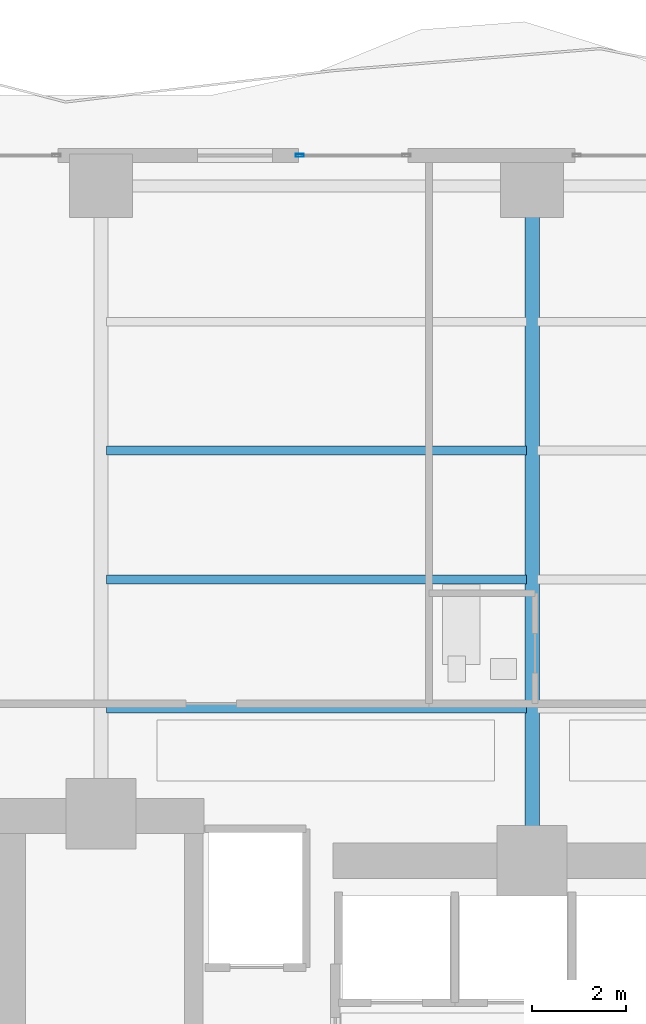
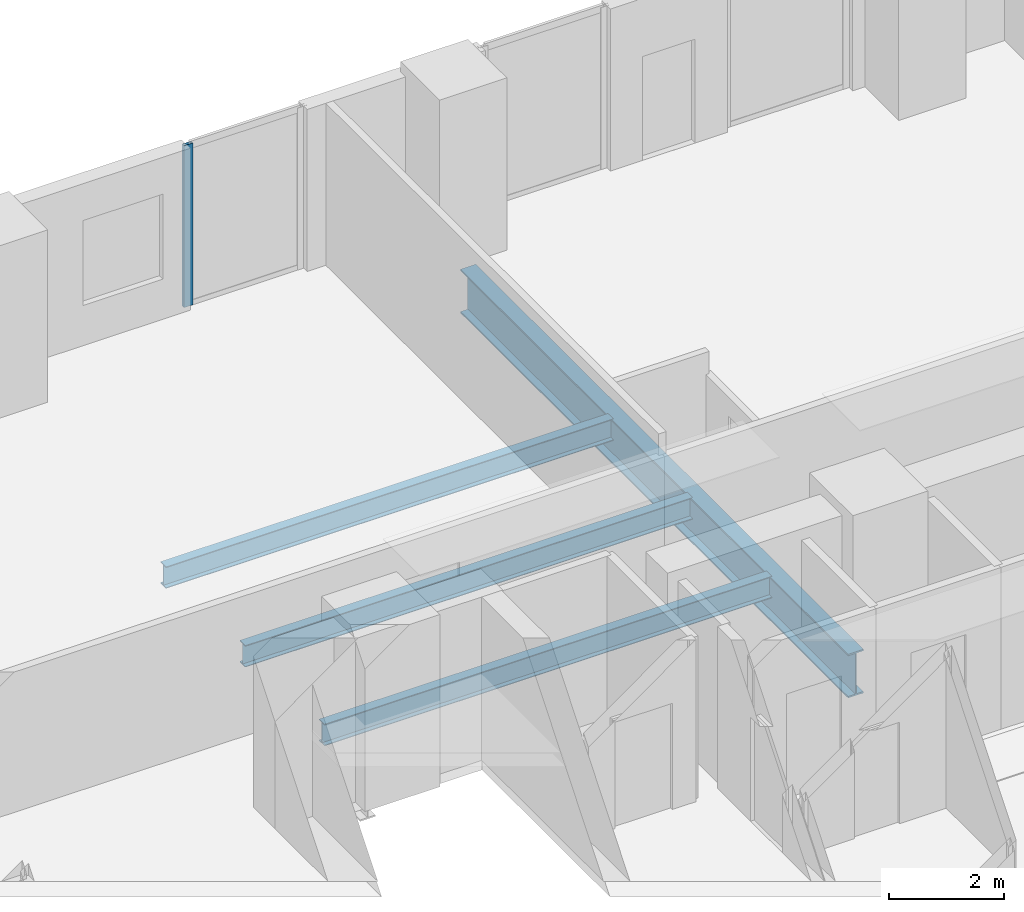
# One storey, part 15 of 28: 4 beams, 1 member, 1 element without a shape of its own.
"""IFC4 building model written with IfcOpenShell, lengths in metres."""

from ifc_helpers import new_model, si_unit, direction, frame, origin, origin_2d, place, context, subcontext, project, spatial, hollow_rectangle, i_section, extrude, material, layer, layer_set, material_profile, profile_set, type_object, element, aggregate, save


model = new_model("IFC4")

# Units and contexts
model_context = context("Model", 3, precision=1e-05, world=origin(), true_north=direction((0.0, 1.0)))
body_context = subcontext(model_context, "Body", "Model", "MODEL_VIEW")
ifc_project = project(units=[si_unit("LENGTHUNIT", "METRE"), si_unit("AREAUNIT", "SQUARE_METRE"), si_unit("VOLUMEUNIT", "CUBIC_METRE"), si_unit("PLANEANGLEUNIT", "RADIAN"), si_unit("MASSUNIT", "GRAM", prefix="KILO")], contexts=[model_context])

# Site, building, storey
site_placement = place(None, origin())
site = spatial("IfcSite", under=ifc_project, at=site_placement, CompositionType="ELEMENT")
building_placement = place(site_placement, origin())
building = spatial("IfcBuilding", under=site, at=building_placement, Name="Zuhayl Quay Hotel", CompositionType="ELEMENT")
storey_placement = place(building_placement, frame((0.0, 0.0, 146.75)))
storey = spatial("IfcBuildingStorey", under=building, at=storey_placement, Name="L37", CompositionType="ELEMENT", Elevation=146.75)

# Beams
ifc_material_1 = material(Name="Steel ASTM A992 Grade 50", Category="steel")
ifc_material_profile_1 = material_profile(ifc_material_1, i_section(OverallWidth=0.18994140625, OverallDepth=0.45703125, WebThickness=0.009033203125, FlangeThickness=0.014404296875, at=origin_2d()), Name="W18X50")
ifc_profile_set_1 = profile_set([ifc_material_profile_1], Name="Steel ASTM A992 Grade 50")
beam_type_1 = type_object("IfcBeamType", Name="BM_J2_W18X50", PredefinedType="JOIST", material=ifc_profile_set_1)
for number, where, z_axis, x_axis, name in (
    (1, (-13.680908203125, 16.60009765625, -0.448486328125), (1.0, 0.0, 0.0), (0.0, 1.0, 0.0), "L37 Floor Beam FJ_L37_1_1"),
    (2, (-13.680908203125, 19.35009765625, -0.448486328125), (1.0, 0.0, 0.0), (0.0, 1.0, 0.0), "L37 Floor Beam FJ_L37_2_1"),
    (3, (-13.680908203125, 22.10009765625, -0.448486328125), (1.0, 0.0, 0.0), (0.0, 1.0, 0.0), "L37 Floor Beam FJ_L37_3_1"),
):
    element("IfcBeam", number, at=place(storey_placement, frame(where, z_axis=z_axis, x_axis=x_axis)), inside=storey, type_object=beam_type_1, Name=name, PredefinedType="JOIST", context=body_context, shape_type="SweptSolid", body=[
        extrude(i_section(OverallWidth=0.18994140625, OverallDepth=0.45703125, WebThickness=0.009033203125, FlangeThickness=0.014404296875, at=origin_2d()), origin(), (0.0, 0.0, 1.0), 8.9619140625),
    ])
ifc_material_profile_2 = material_profile(ifc_material_1, i_section(OverallWidth=0.306884765625, OverallDepth=0.927001953125, WebThickness=0.019287109375, FlangeThickness=0.031982421875, at=origin_2d()), Name="W36X194")
ifc_profile_set_2 = profile_set([ifc_material_profile_2], Name="Steel ASTM A992 Grade 50")
beam_type_2 = type_object("IfcBeamType", Name="BM_PG2_W36X194", PredefinedType="BEAM", material=ifc_profile_set_2)
beam_placement = place(storey_placement, frame((-4.60009765625, 13.800048828125, -0.68359375), z_axis=(0.0, 1.0, 0.0), x_axis=(-1.0, 0.0, 0.0)))
element("IfcBeam", 4, at=beam_placement, inside=storey, type_object=beam_type_2, Name="L37 Floor Beam FG_N_L37_2", PredefinedType="BEAM", context=body_context, shape_type="SweptSolid", body=[
    extrude(i_section(OverallWidth=0.306884765625, OverallDepth=0.927001953125, WebThickness=0.019287109375, FlangeThickness=0.031982421875, at=origin_2d()), origin(), (0.0, 0.0, 1.0), 13.449951171875),
])

# Curtain wall, member
ifc_material_2 = material(Name="Anodised Aluminium 6063-T6", Category="aluminium")
ifc_layer = layer(ifc_material_2, 0.179931640625, Name="Anodised Aluminium 6063-T6", Category="aluminium")
ifc_layer_set = layer_set([ifc_layer], Name="Anodised Aluminium 6063-T6")
curtain_wall_type = type_object("IfcCurtainWallType", Name="CW_SYS_Z2", PredefinedType="USERDEFINED", material=ifc_layer_set)
curtain_wall_placement = place(storey_placement, origin())
curtain_wall = element("IfcCurtainWall", 5, at=curtain_wall_placement, inside=storey, type_object=curtain_wall_type, Name="L37 Curtain Wall ENV_L37_N_CW2", ObjectType="UNITISED CURTAIN WALL", PredefinedType="USERDEFINED")
ifc_material_3 = material(Name="Black-anodised aluminium 6063-T6", Category="aluminium")
ifc_material_profile_3 = material_profile(ifc_material_3, hollow_rectangle(XDim=0.06494140625, YDim=0.179931640625, WallThickness=0.00341796875, at=origin_2d()), Name="ALU180X65")
ifc_profile_set_3 = profile_set([ifc_material_profile_3], Name="Black-anodised aluminium 6063-T6")
member_type = type_object("IfcMemberType", Name="MB_CW_MUL_180", PredefinedType="MULLION", material=ifc_profile_set_3)
member_placement = place(storey_placement, frame((-9.5576171875, 28.39990234375, 0.0), z_axis=(0.0, 0.0, 1.0), x_axis=(0.0, 1.0, 0.0)))
member = element("IfcMember", 6, at=member_placement, type_object=member_type, Name="CW-Z2 mullion 1", PredefinedType="MULLION", context=body_context, shape_type="SweptSolid", body=[
    extrude(hollow_rectangle(XDim=0.06494140625, YDim=0.179931640625, WallThickness=0.00341796875, at=origin_2d()), origin(), (0.0, 0.0, 1.0), 3.429931640625),
])
aggregate(curtain_wall, [member])

save(model, "model.ifc")
